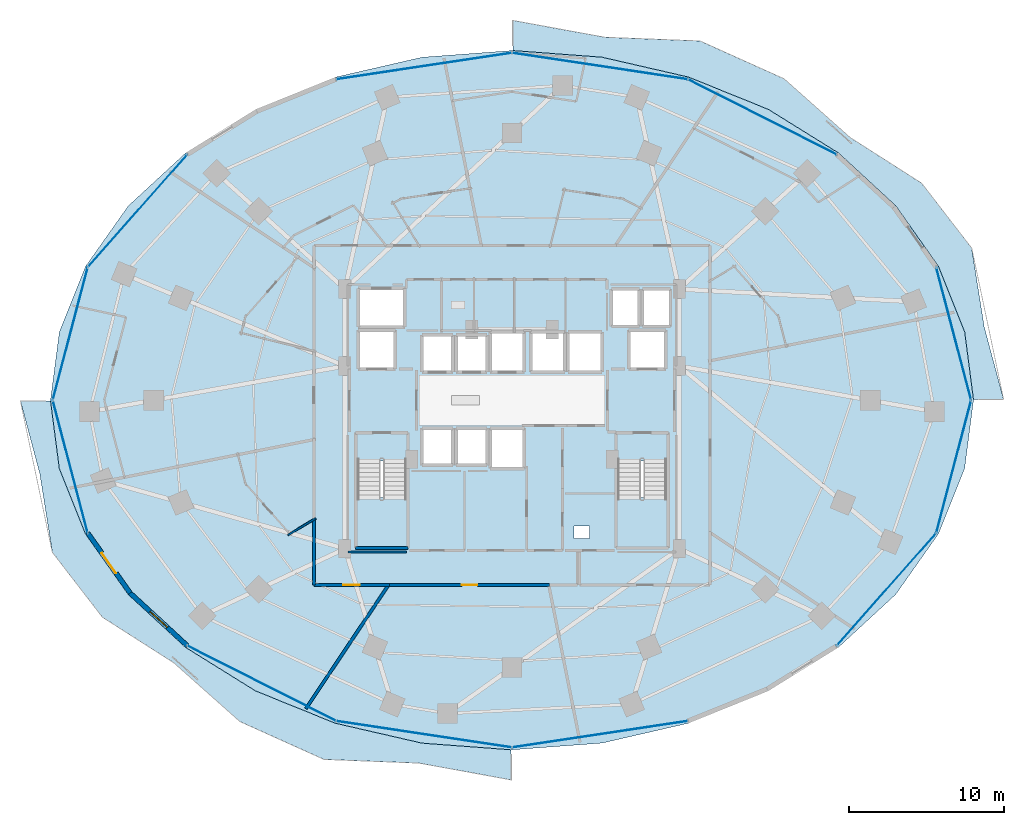
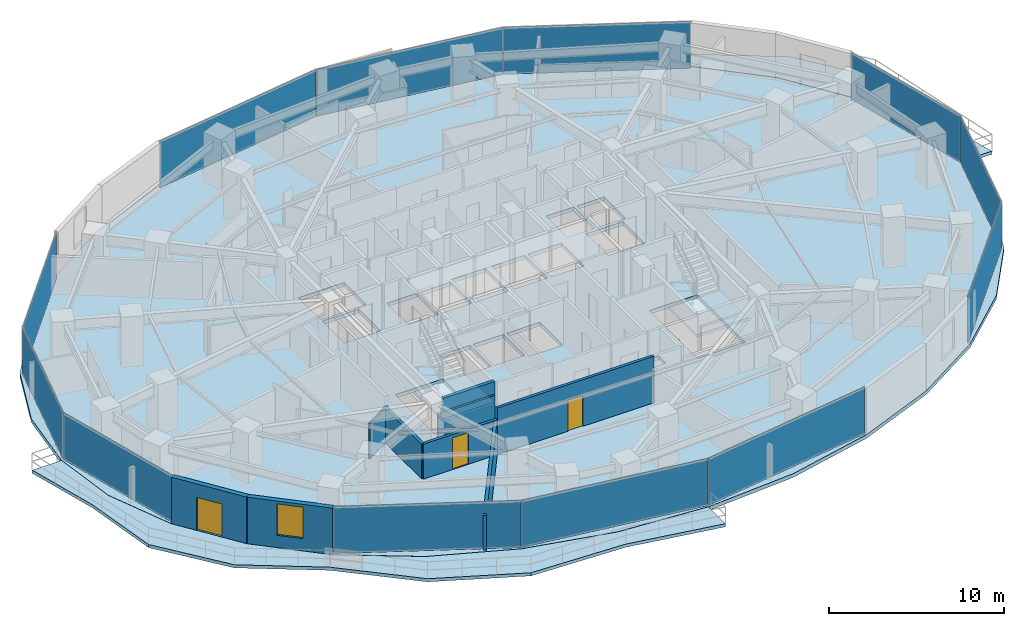
# One storey, part 22 of 30: 12 plates, 9 walls, 5 slabs, 3 doors, 1 window, 4 openings, 6 elements without a shape of their own.
"""IFC4 building model written with IfcOpenShell, lengths in metres."""

from ifc_helpers import new_model, si_unit, direction, frame, frame_2d, origin, origin_2d, place, context, subcontext, project, spatial, polyline, rectangle, outline, extrude, material, layer, layer_set, type_object, element, fill, aggregate, save


model = new_model("IFC4")

# Units and contexts
model_context = context("Model", 3, precision=1e-05, world=origin(), true_north=direction((0.0, 1.0)))
body_context = subcontext(model_context, "Body", "Model", "MODEL_VIEW")
ifc_project = project(units=[si_unit("LENGTHUNIT", "METRE"), si_unit("AREAUNIT", "SQUARE_METRE"), si_unit("VOLUMEUNIT", "CUBIC_METRE"), si_unit("PLANEANGLEUNIT", "RADIAN"), si_unit("MASSUNIT", "GRAM", prefix="KILO")], contexts=[model_context])

# Site, building, storey
site_placement = place(None, origin())
site = spatial("IfcSite", under=ifc_project, at=site_placement, CompositionType="ELEMENT")
building_placement = place(site_placement, origin())
building = spatial("IfcBuilding", under=site, at=building_placement, Name="Vorneva Point Tower", CompositionType="ELEMENT")
storey_placement = place(building_placement, frame((0.0, 0.0, 41.5)))
storey = spatial("IfcBuildingStorey", under=building, at=storey_placement, Name="L10", CompositionType="ELEMENT", Elevation=41.5)

# Curtain wall, plates
ifc_material_1 = material(Name="Pale anodised aluminium", Category="aluminium")
curtain_wall_type = type_object("IfcCurtainWallType", Name="CW-HTL-SYS", PredefinedType="NOTDEFINED", material=ifc_material_1)
curtain_wall_1_placement = place(storey_placement, origin())
curtain_wall_1 = element("IfcCurtainWall", 1, at=curtain_wall_1_placement, inside=storey, type_object=curtain_wall_type, Name="L10 Unitised Curtain Wall CW-L10-R01", PredefinedType="NOTDEFINED")
ifc_material_2 = material(Name="Double low-e laminated glass IGU", Category="glass")
ifc_layer_1 = layer(ifc_material_2, 0.035888671875)
ifc_layer_set_1 = layer_set([ifc_layer_1], Name="Double low-e laminated glass IGU")
plate_type = type_object("IfcPlateType", Name="CW-PNL-VIS", PredefinedType="CURTAIN_PANEL", material=ifc_layer_set_1)
plate_1_placement = place(storey_placement, frame((62.097900390625, 13.821533203125, -0.02001953125), z_axis=(0.0, 0.0, 1.0), x_axis=(0.662070857019, 0.749441245386, 0.0)))
plate_1 = element("IfcPlate", 2, at=plate_1_placement, type_object=plate_type, Name="CW-L10-R01 Glazed Panel 01", PredefinedType="CURTAIN_PANEL", context=body_context, shape_type="SweptSolid", body=[
    extrude(rectangle(XDim=9.625, YDim=0.035888671875, at=origin_2d()), origin(), (0.0, 0.0, 1.0), 3.280029296875),
])
plate_2_placement = place(storey_placement, frame((66.42529296875, 21.723388671875, -0.02001953125), z_axis=(0.0, 0.0, 1.0), x_axis=(0.254348767449, 0.967112560407, 0.0)))
plate_2 = element("IfcPlate", 3, at=plate_2_placement, type_object=plate_type, Name="CW-L10-R01 Glazed Panel 02", PredefinedType="CURTAIN_PANEL", context=body_context, shape_type="SweptSolid", body=[
    extrude(rectangle(XDim=8.793701171875, YDim=0.035888671875, at=origin_2d()), origin(), (0.0, 0.0, 1.0), 3.280029296875),
])
plate_3_placement = place(storey_placement, frame((66.42529296875, 30.276611328125, -0.02001953125), z_axis=(0.0, 0.0, 1.0), x_axis=(-0.254348767449, 0.967112560407, 0.0)))
plate_3 = element("IfcPlate", 4, at=plate_3_placement, type_object=plate_type, Name="CW-L10-R01 Glazed Panel 03", PredefinedType="CURTAIN_PANEL", context=body_context, shape_type="SweptSolid", body=[
    extrude(rectangle(XDim=8.793701171875, YDim=0.035888671875, at=origin_2d()), origin(), (0.0, 0.0, 1.0), 3.280029296875),
])
aggregate(curtain_wall_1, [plate_1, plate_2, plate_3])

curtain_wall_2_placement = place(storey_placement, origin())
curtain_wall_2 = element("IfcCurtainWall", 5, at=curtain_wall_2_placement, inside=storey, type_object=curtain_wall_type, Name="L10 Unitised Curtain Wall CW-L10-R02", PredefinedType="NOTDEFINED")
plate_4_placement = place(storey_placement, frame((54.101806640625, 44.226318359375, -0.02001953125), z_axis=(0.0, 0.0, 1.0), x_axis=(-0.892499239729, 0.451048896554, 0.0)))
plate_4 = element("IfcPlate", 6, at=plate_4_placement, type_object=plate_type, Name="CW-L10-R02 Glazed Panel 01", PredefinedType="CURTAIN_PANEL", context=body_context, shape_type="SweptSolid", body=[
    extrude(rectangle(XDim=10.69140625, YDim=0.035888671875, at=origin_2d()), origin(), (0.0, 0.0, 1.0), 3.280029296875),
])
plate_5_placement = place(storey_placement, frame((43.654296875, 47.499267578125, -0.02001953125), z_axis=(0.0, 0.0, 1.0), x_axis=(-0.988870924381, 0.148775989034, 0.0)))
plate_5 = element("IfcPlate", 7, at=plate_5_placement, type_object=plate_type, Name="CW-L10-R02 Glazed Panel 02", PredefinedType="CURTAIN_PANEL", context=body_context, shape_type="SweptSolid", body=[
    extrude(rectangle(XDim=11.385498046875, YDim=0.035888671875, at=origin_2d()), origin(), (0.0, 0.0, 1.0), 3.280029296875),
])
plate_6_placement = place(storey_placement, frame((32.345703125, 47.499267578125, -0.02001953125), z_axis=(0.0, 0.0, 1.0), x_axis=(-0.988870924381, -0.148775989034, 0.0)))
plate_6 = element("IfcPlate", 8, at=plate_6_placement, type_object=plate_type, Name="CW-L10-R02 Glazed Panel 03", PredefinedType="CURTAIN_PANEL", context=body_context, shape_type="SweptSolid", body=[
    extrude(rectangle(XDim=11.385498046875, YDim=0.035888671875, at=origin_2d()), origin(), (0.0, 0.0, 1.0), 3.280029296875),
])
aggregate(curtain_wall_2, [plate_4, plate_5, plate_6])

curtain_wall_3_placement = place(storey_placement, origin())
curtain_wall_3 = element("IfcCurtainWall", 9, at=curtain_wall_3_placement, inside=storey, type_object=curtain_wall_type, Name="L10 Unitised Curtain Wall CW-L10-R03", PredefinedType="NOTDEFINED")
plate_7_placement = place(storey_placement, frame((13.902099609375, 38.178466796875, -0.02001953125), z_axis=(0.0, 0.0, 1.0), x_axis=(-0.662070857019, -0.749441245386, 0.0)))
plate_7 = element("IfcPlate", 10, at=plate_7_placement, type_object=plate_type, Name="CW-L10-R03 Glazed Panel 01", PredefinedType="CURTAIN_PANEL", context=body_context, shape_type="SweptSolid", body=[
    extrude(rectangle(XDim=9.625, YDim=0.035888671875, at=origin_2d()), origin(), (0.0, 0.0, 1.0), 3.280029296875),
])
plate_8_placement = place(storey_placement, frame((9.57470703125, 30.276611328125, -0.02001953125), z_axis=(0.0, 0.0, 1.0), x_axis=(-0.254348767449, -0.967112560407, 0.0)))
plate_8 = element("IfcPlate", 11, at=plate_8_placement, type_object=plate_type, Name="CW-L10-R03 Glazed Panel 02", PredefinedType="CURTAIN_PANEL", context=body_context, shape_type="SweptSolid", body=[
    extrude(rectangle(XDim=8.793701171875, YDim=0.035888671875, at=origin_2d()), origin(), (0.0, 0.0, 1.0), 3.280029296875),
])
plate_9_placement = place(storey_placement, frame((9.57470703125, 21.723388671875, -0.02001953125), z_axis=(0.0, 0.0, 1.0), x_axis=(0.254348767449, -0.967112560407, 0.0)))
plate_9 = element("IfcPlate", 12, at=plate_9_placement, type_object=plate_type, Name="CW-L10-R03 Glazed Panel 03", PredefinedType="CURTAIN_PANEL", context=body_context, shape_type="SweptSolid", body=[
    extrude(rectangle(XDim=8.793701171875, YDim=0.035888671875, at=origin_2d()), origin(), (0.0, 0.0, 1.0), 3.280029296875),
])
aggregate(curtain_wall_3, [plate_7, plate_8, plate_9])

curtain_wall_4_placement = place(storey_placement, origin())
curtain_wall_4 = element("IfcCurtainWall", 13, at=curtain_wall_4_placement, inside=storey, type_object=curtain_wall_type, Name="L10 Unitised Curtain Wall CW-L10-R04", PredefinedType="NOTDEFINED")
plate_10_placement = place(storey_placement, frame((21.8984375, 7.773681640625, -0.02001953125), z_axis=(0.0, 0.0, 1.0), x_axis=(0.892499239729, -0.451048896554, 0.0)))
plate_10 = element("IfcPlate", 14, at=plate_10_placement, type_object=plate_type, Name="CW-L10-R04 Glazed Panel 01", PredefinedType="CURTAIN_PANEL", context=body_context, shape_type="SweptSolid", body=[
    extrude(rectangle(XDim=10.69140625, YDim=0.035888671875, at=origin_2d()), origin(), (0.0, 0.0, 1.0), 3.280029296875),
])
plate_11_placement = place(storey_placement, frame((32.345703125, 4.500732421875, -0.02001953125), z_axis=(0.0, 0.0, 1.0), x_axis=(0.988870924381, -0.148775989034, 0.0)))
plate_11 = element("IfcPlate", 15, at=plate_11_placement, type_object=plate_type, Name="CW-L10-R04 Glazed Panel 02", PredefinedType="CURTAIN_PANEL", context=body_context, shape_type="SweptSolid", body=[
    extrude(rectangle(XDim=11.385498046875, YDim=0.035888671875, at=origin_2d()), origin(), (0.0, 0.0, 1.0), 3.280029296875),
])
plate_12_placement = place(storey_placement, frame((43.654296875, 4.500732421875, -0.02001953125), z_axis=(0.0, 0.0, 1.0), x_axis=(0.988870924381, 0.148775989034, 0.0)))
plate_12 = element("IfcPlate", 16, at=plate_12_placement, type_object=plate_type, Name="CW-L10-R04 Glazed Panel 03", PredefinedType="CURTAIN_PANEL", context=body_context, shape_type="SweptSolid", body=[
    extrude(rectangle(XDim=11.385498046875, YDim=0.035888671875, at=origin_2d()), origin(), (0.0, 0.0, 1.0), 3.280029296875),
])
aggregate(curtain_wall_4, [plate_10, plate_11, plate_12])

# Slabs
ifc_material_3 = material(Name="Concrete B50 (C40/50)", Category="concrete")
ifc_layer_2 = layer(ifc_material_3, 0.219970703125)
ifc_layer_set_2 = layer_set([ifc_layer_2], Name="Concrete B50 (C40/50)")
slab_type_1 = type_object("IfcSlabType", Name="SLB-BAL-220", PredefinedType="FLOOR", material=ifc_layer_set_2)
slab_1_placement = place(storey_placement, frame((0.0, 0.0, -0.219970703125)))
element("IfcSlab", 17, at=slab_1_placement, inside=storey, type_object=slab_type_1, Name="L10 Cantilevered Wave Balcony NE", PredefinedType="FLOOR", context=body_context, shape_type="SweptSolid", body=[
    extrude(outline(polyline([(38.050048828125, 50.44091796875), (38.050048828125, 48.500244140625), (43.79443359375, 48.07177734375), (43.794921875, 48.07177734375), (43.795166015625, 48.071533203125), (49.36669921875, 46.791259765625), (49.366943359375, 46.791015625), (49.3671875, 46.791015625), (54.501953125, 44.7119140625), (54.502197265625, 44.711669921875), (54.50244140625, 44.71142578125), (59.003173828125, 41.913330078125), (59.00341796875, 41.9130859375), (59.00390625, 41.912841796875), (62.697265625, 38.503173828125), (62.697509765625, 38.5029296875), (62.697998046875, 38.502685546875), (65.4423828125, 34.61279296875), (65.442626953125, 34.6123046875), (65.44287109375, 34.61181640625), (67.133056640625, 30.39111328125), (67.133056640625, 30.390625), (67.13330078125, 30.390380859375), (67.13330078125, 30.389892578125), (67.697509765625, 26.050048828125), (69.63671875, 26.050048828125), (68.389892578125, 30.720458984375), (67.58447265625, 35.783203125), (64.35791015625, 39.96728515625), (59.755859375, 42.90625), (55.502197265625, 46.68701171875), (50.09765625, 49.1201171875), (43.98828125, 49.3564453125), (38.050048828125, 50.44091796875)])), origin(), (0.0, 0.0, 1.0), 0.219970703125),
])
slab_2_placement = place(storey_placement, frame((0.0, 0.0, -0.219970703125)))
element("IfcSlab", 18, at=slab_2_placement, inside=storey, type_object=slab_type_1, Name="L10 Cantilevered Wave Balcony SW", PredefinedType="FLOOR", context=body_context, shape_type="SweptSolid", body=[
    extrude(outline(polyline([(37.949951171875, 1.55908203125), (37.949951171875, 3.499755859375), (32.20556640625, 3.92822265625), (32.205078125, 3.92822265625), (32.204833984375, 3.928466796875), (26.63330078125, 5.208740234375), (26.633056640625, 5.208984375), (26.6328125, 5.208984375), (21.498046875, 7.2880859375), (21.497802734375, 7.288330078125), (21.49755859375, 7.28857421875), (16.996826171875, 10.086669921875), (16.99658203125, 10.0869140625), (16.99609375, 10.087158203125), (13.302734375, 13.496826171875), (13.302490234375, 13.4970703125), (13.302001953125, 13.497314453125), (10.5576171875, 17.38720703125), (10.557373046875, 17.3876953125), (10.55712890625, 17.38818359375), (8.866943359375, 21.60888671875), (8.866943359375, 21.609375), (8.86669921875, 21.609619140625), (8.86669921875, 21.610107421875), (8.302490234375, 25.949951171875), (6.36328125, 25.949951171875), (7.610107421875, 21.279541015625), (8.41552734375, 16.216796875), (11.64208984375, 12.03271484375), (16.244140625, 9.09375), (20.497802734375, 5.31298828125), (25.90234375, 2.8798828125), (32.01171875, 2.6435546875), (37.949951171875, 1.55908203125)])), origin(), (0.0, 0.0, 1.0), 0.219970703125),
])

# Stair, slab
stair_type = type_object("IfcStairType", Name="ST-DOG-1500", PredefinedType="HALF_TURN_STAIR", material=ifc_material_3)
stair_1_placement = place(storey_placement, origin())
stair_1 = element("IfcStair", 19, at=stair_1_placement, inside=storey, type_object=stair_type, Name="L10 ST1", PredefinedType="HALF_TURN_STAIR")
ifc_layer_3 = layer(ifc_material_3, 0.199951171875)
ifc_layer_set_3 = layer_set([ifc_layer_3], Name="Concrete B50 (C40/50)")
slab_type_2 = type_object("IfcSlabType", Name="SLB-LND-200", PredefinedType="LANDING", material=ifc_layer_set_3)
slab_3_placement = place(storey_placement, frame((0.0, 0.0, 1.550048828125)))
slab_3 = element("IfcSlab", 20, at=slab_3_placement, type_object=slab_type_2, Name="ST1 landing 1", PredefinedType="LANDING", context=body_context, shape_type="SweptSolid", body=[
    extrude(outline(polyline([(27.929931640625, 16.47998046875), (31.320068359375, 16.47998046875), (31.320068359375, 19.72998046875), (27.929931640625, 19.72998046875), (27.929931640625, 16.47998046875)])), origin(), (0.0, 0.0, 1.0), 0.199951171875),
])
aggregate(stair_1, [slab_3])

stair_2_placement = place(storey_placement, origin())
stair_2 = element("IfcStair", 21, at=stair_2_placement, inside=storey, type_object=stair_type, Name="L10 ST2", PredefinedType="HALF_TURN_STAIR")
slab_4_placement = place(storey_placement, frame((0.0, 0.0, 1.550048828125)))
slab_4 = element("IfcSlab", 22, at=slab_4_placement, type_object=slab_type_2, Name="ST2 landing 1", PredefinedType="LANDING", context=body_context, shape_type="SweptSolid", body=[
    extrude(outline(polyline([(44.679931640625, 16.47998046875), (48.070068359375, 16.47998046875), (48.070068359375, 19.72998046875), (44.679931640625, 19.72998046875), (44.679931640625, 16.47998046875)])), origin(), (0.0, 0.0, 1.0), 0.199951171875),
])
aggregate(stair_2, [slab_4])

# Slab
ifc_layer_4 = layer(ifc_material_3, 0.260009765625)
ifc_layer_set_4 = layer_set([ifc_layer_4], Name="Concrete B50 (C40/50)")
slab_type_3 = type_object("IfcSlabType", Name="SLB-TYP-260", PredefinedType="FLOOR", material=ifc_layer_set_4)
slab_5_placement = place(storey_placement, frame((0.0, 0.0, -0.260009765625)))
element("IfcSlab", 23, at=slab_5_placement, inside=storey, type_object=slab_type_3, Name="L10 Structural Floor Plate", PredefinedType="FLOOR", context=body_context, shape_type="SweptSolid", body=[
    extrude(outline(polyline([(67.699951171875, 26.0), (67.12939453125, 30.389404296875), (65.439208984375, 34.6103515625), (62.694580078125, 38.500244140625), (59.001220703125, 41.909912109375), (54.50048828125, 44.7080078125), (49.36572265625, 46.787353515625), (43.794189453125, 48.067626953125), (38.0, 48.5), (32.205810546875, 48.067626953125), (26.63427734375, 46.787353515625), (21.49951171875, 44.7080078125), (16.998779296875, 41.909912109375), (13.305419921875, 38.500244140625), (10.560791015625, 34.6103515625), (8.87060546875, 30.389404296875), (8.300048828125, 26.0), (8.87060546875, 21.610595703125), (10.560791015625, 17.3896484375), (13.305419921875, 13.499755859375), (16.998779296875, 10.090087890625), (21.49951171875, 7.2919921875), (26.63427734375, 5.212646484375), (32.205810546875, 3.932373046875), (38.0, 3.5), (43.794189453125, 3.932373046875), (49.36572265625, 5.212646484375), (54.50048828125, 7.2919921875), (59.001220703125, 10.090087890625), (62.694580078125, 13.499755859375), (65.439208984375, 17.3896484375), (67.12939453125, 21.610595703125), (67.699951171875, 26.0)]), holes=[polyline([(32.199951171875, 27.800048828125), (34.199951171875, 27.800048828125), (34.199951171875, 30.199951171875), (32.199951171875, 30.199951171875), (32.199951171875, 27.800048828125)]), polyline([(34.39990234375, 27.800048828125), (36.39990234375, 27.800048828125), (36.39990234375, 30.199951171875), (34.39990234375, 30.199951171875), (34.39990234375, 27.800048828125)]), polyline([(36.60009765625, 27.800048828125), (38.800048828125, 27.800048828125), (38.800048828125, 30.39990234375), (36.60009765625, 30.39990234375), (36.60009765625, 27.800048828125)]), polyline([(32.199951171875, 21.800048828125), (34.199951171875, 21.800048828125), (34.199951171875, 24.199951171875), (32.199951171875, 24.199951171875), (32.199951171875, 21.800048828125)]), polyline([(34.39990234375, 21.800048828125), (36.39990234375, 21.800048828125), (36.39990234375, 24.199951171875), (34.39990234375, 24.199951171875), (34.39990234375, 21.800048828125)]), polyline([(36.60009765625, 21.60009765625), (38.800048828125, 21.60009765625), (38.800048828125, 24.199951171875), (36.60009765625, 24.199951171875), (36.60009765625, 21.60009765625)]), polyline([(39.199951171875, 27.800048828125), (41.39990234375, 27.800048828125), (41.39990234375, 30.39990234375), (39.199951171875, 30.39990234375), (39.199951171875, 27.800048828125)]), polyline([(41.60009765625, 27.800048828125), (43.800048828125, 27.800048828125), (43.800048828125, 30.39990234375), (41.60009765625, 30.39990234375), (41.60009765625, 27.800048828125)]), polyline([(44.39990234375, 30.739990234375), (46.199951171875, 30.739990234375), (46.199951171875, 33.159912109375), (44.39990234375, 33.159912109375), (44.39990234375, 30.739990234375)]), polyline([(46.39990234375, 30.739990234375), (48.199951171875, 30.739990234375), (48.199951171875, 33.159912109375), (46.39990234375, 33.159912109375), (46.39990234375, 30.739990234375)]), polyline([(28.10009765625, 28.0), (30.5, 28.0), (30.5, 30.5), (28.10009765625, 30.5), (28.10009765625, 28.0)]), polyline([(45.5, 28.0), (47.89990234375, 28.0), (47.89990234375, 30.5), (45.5, 30.5), (45.5, 28.0)]), polyline([(28.10009765625, 30.699951171875), (31.10009765625, 30.699951171875), (31.10009765625, 33.199951171875), (28.10009765625, 33.199951171875), (28.10009765625, 30.699951171875)]), polyline([(28.050048828125, 16.60009765625), (31.199951171875, 16.60009765625), (31.199951171875, 22.080078125), (28.050048828125, 22.080078125), (28.050048828125, 16.60009765625)]), polyline([(44.800048828125, 16.60009765625), (47.949951171875, 16.60009765625), (47.949951171875, 22.080078125), (44.800048828125, 22.080078125), (44.800048828125, 16.60009765625)]), polyline([(42.0, 17.10009765625), (43.0, 17.10009765625), (43.0, 17.89990234375), (42.0, 17.89990234375), (42.0, 17.10009765625)])]), origin(), (0.0, 0.0, 1.0), 0.260009765625),
])

# Wall, opening, door
ifc_material_4 = material(Name="Precast concrete B50 (C40/50)", Category="concrete")
ifc_layer_5 = layer(ifc_material_4, 0.300048828125)
ifc_layer_set_5 = layer_set([ifc_layer_5], Name="Precast concrete B50 (C40/50)")
wall_type_1 = type_object("IfcWallType", Name="WL-EXT-300", PredefinedType="STANDARD", material=ifc_layer_set_5)
wall_1_placement = place(storey_placement, frame((10.699462890625, 17.447021484375, 0.0), z_axis=(0.0, 0.0, 1.0), x_axis=(0.577130815624, -0.816651713803, 0.0)))
wall_1 = element("IfcWall", 24, at=wall_1_placement, inside=storey, type_object=wall_type_1, Name="L10 Pale-Metal Facade Spandrel Wall 10.1", PredefinedType="STANDARD", context=body_context, shape_type="SweptSolid", body=[
    extrude(rectangle(XDim=4.7314453125, YDim=0.300048828125, at=frame_2d((2.36572265625, 0.0))), origin(), (0.0, 0.0, 1.0), 3.239990234375),
])
opening_1_placement = place(wall_1_placement, frame((1.56591796875, 0.0, 0.0)))
opening_1 = element("IfcOpeningElement", 25, at=opening_1_placement, cuts=wall_1, Name="Opening BD-01", PredefinedType="OPENING", context=body_context, shape_type="SweptSolid", body=[
    extrude(rectangle(XDim=1.60009765625, YDim=2.300048828125, at=frame_2d((0.800048828125, 1.14990234375))), frame((0.0, 0.1650390625, 0.0), z_axis=(0.0, -1.0, 0.0), x_axis=(1.0, 0.0, 0.0)), (0.0, 0.0, 1.0), 0.329833984375),
])
door_type_1 = type_object("IfcDoorType", Name="DR-BAL-1600", OperationType="SLIDING_TO_LEFT", PredefinedType="DOOR", material=ifc_material_1)
door_1_placement = place(opening_1_placement, origin())
door_1 = element("IfcDoor", 26, at=door_1_placement, inside=storey, type_object=door_type_1, Name="L10 Balcony Terrace Access Door 10", OperationType="SLIDING_TO_LEFT", OverallHeight=2.300048828125, OverallWidth=1.60009765625, PredefinedType="DOOR", context=body_context, shape_type="SweptSolid", body=[
    extrude(rectangle(XDim=1.60009765625, YDim=2.300048828125, at=frame_2d((0.800048828125, 1.14990234375))), frame((0.0, 0.02490234375, 0.0), z_axis=(0.0, -1.0, 0.0), x_axis=(1.0, 0.0, 0.0)), (0.0, 0.0, 1.0), 0.050048828125),
])
fill(opening_1, door_1)

# Wall, opening, window
wall_2_placement = place(storey_placement, frame((13.43017578125, 13.5830078125, 0.0), z_axis=(0.0, 0.0, 1.0), x_axis=(0.735342629635, -0.677695519419, 0.0)))
wall_2 = element("IfcWall", 27, at=wall_2_placement, inside=storey, type_object=wall_type_1, Name="L10 Pale-Metal Facade Spandrel Wall 10.2", PredefinedType="STANDARD", context=body_context, shape_type="SweptSolid", body=[
    extrude(rectangle(XDim=4.997314453125, YDim=0.300048828125, at=frame_2d((2.49853515625, 0.0))), origin(), (0.0, 0.0, 1.0), 3.239990234375),
])
opening_2_placement = place(wall_2_placement, frame((1.748779296875, 0.0, 0.85009765625)))
opening_2 = element("IfcOpeningElement", 28, at=opening_2_placement, cuts=wall_2, Name="Opening W-02", PredefinedType="OPENING", context=body_context, shape_type="SweptSolid", body=[
    extrude(rectangle(XDim=1.5, YDim=2.18994140625, at=frame_2d((0.75, 1.094970703125))), frame((0.0, 0.1650390625, 0.0), z_axis=(0.0, -1.0, 0.0), x_axis=(1.0, 0.0, 0.0)), (0.0, 0.0, 1.0), 0.329833984375),
])
window_type = type_object("IfcWindowType", Name="WN-HTL-1500", PartitioningType="SINGLE_PANEL", PredefinedType="WINDOW", material=ifc_material_2)
window_placement = place(opening_2_placement, origin())
window = element("IfcWindow", 29, at=window_placement, inside=storey, type_object=window_type, Name="L10 Facade Window 10", OverallHeight=2.18994140625, OverallWidth=1.5, PartitioningType="SINGLE_PANEL", PredefinedType="WINDOW", context=body_context, shape_type="SweptSolid", body=[
    extrude(rectangle(XDim=1.5, YDim=2.18994140625, at=frame_2d((0.75, 1.094970703125))), frame((0.0, 0.030029296875, 0.0), z_axis=(0.0, -1.0, 0.0), x_axis=(1.0, 0.0, 0.0)), (0.0, 0.0, 1.0), 0.06005859375),
])
fill(opening_2, window)

# Walls
ifc_material_5 = material(Name="Fire-rated acoustic gypsum stud partition", Category="gypsum")
ifc_layer_6 = layer(ifc_material_5, 0.110107421875)
ifc_layer_set_6 = layer_set([ifc_layer_6], Name="Fire-rated acoustic gypsum stud partition")
wall_type_2 = type_object("IfcWallType", Name="WL-PART-110", PredefinedType="PARTITIONING", material=ifc_layer_set_6)
wall_3_placement = place(storey_placement, frame((25.369873046875, 18.396240234375, 0.0), z_axis=(0.0, 0.0, 1.0), x_axis=(-0.856631627837, -0.515928535932, 0.0)))
element("IfcWall", 30, at=wall_3_placement, inside=storey, type_object=wall_type_2, Name="L10 Interior Partition 086", PredefinedType="PARTITIONING", context=body_context, shape_type="SweptSolid", body=[
    extrude(rectangle(XDim=2.078857421875, YDim=0.110107421875, at=frame_2d((1.03955078125, 0.0))), origin(), (0.0, 0.0, 1.0), 2.431884765625),
])
ifc_layer_7 = layer(ifc_material_5, 0.139892578125)
ifc_layer_set_7 = layer_set([ifc_layer_7], Name="Fire-rated acoustic gypsum stud partition")
wall_type_3 = type_object("IfcWallType", Name="WL-PART-140", PredefinedType="PARTITIONING", material=ifc_layer_set_7)
wall_4_placement = place(storey_placement, frame((31.195068359375, 16.239990234375, 0.0), z_axis=(0.0, 0.0, 1.0), x_axis=(-1.0, 0.0, 0.0)))
element("IfcWall", 31, at=wall_4_placement, inside=storey, type_object=wall_type_3, Name="L10 Interior Closure Partition 105", PredefinedType="PARTITIONING", context=body_context, shape_type="SweptSolid", body=[
    extrude(rectangle(XDim=3.7451171875, YDim=0.139892578125, at=frame_2d((1.87255859375, 0.0))), origin(), (0.0, 0.0, 1.0), 2.431884765625),
])
ifc_material_6 = material(Name="Autoclaved aerated concrete blockwork", Category="masonry")
ifc_layer_8 = layer(ifc_material_6, 0.179931640625)
ifc_layer_set_8 = layer_set([ifc_layer_8], Name="Autoclaved aerated concrete blockwork")
wall_type_4 = type_object("IfcWallType", Name="WL-PART-180", PredefinedType="PARTITIONING", material=ifc_layer_set_8)
wall_5_placement = place(storey_placement, frame((25.25, 18.384033203125, 0.0), z_axis=(0.0, 0.0, 1.0), x_axis=(0.0, -1.0, 0.0)))
element("IfcWall", 32, at=wall_5_placement, inside=storey, type_object=wall_type_4, Name="L10 Interior Partition 039", PredefinedType="PARTITIONING", context=body_context, shape_type="SweptSolid", body=[
    extrude(rectangle(XDim=4.283935546875, YDim=0.179931640625, at=frame_2d((2.14208984375, 0.0))), origin(), (0.0, 0.0, 1.0), 2.431884765625),
])

# Wall, opening, door
wall_6_placement = place(storey_placement, frame((25.25, 14.10009765625, 0.0), z_axis=(0.0, 0.0, 1.0), x_axis=(1.0, 0.0, 0.0)))
wall_6 = element("IfcWall", 33, at=wall_6_placement, inside=storey, type_object=wall_type_4, Name="L10 Interior Partition 040", PredefinedType="PARTITIONING", context=body_context, shape_type="SweptSolid", body=[
    extrude(rectangle(XDim=4.85888671875, YDim=0.179931640625, at=frame_2d((2.429443359375, 0.0))), origin(), (0.0, 0.0, 1.0), 2.431884765625),
])
opening_3_placement = place(wall_6_placement, frame((1.904541015625, 0.0, 0.0)))
opening_3 = element("IfcOpeningElement", 34, at=opening_3_placement, cuts=wall_6, Name="Opening UD-02", PredefinedType="OPENING", context=body_context, shape_type="SweptSolid", body=[
    extrude(rectangle(XDim=1.050048828125, YDim=2.199951171875, at=frame_2d((0.52490234375, 1.10009765625))), frame((0.0, 0.10498046875, 0.0), z_axis=(0.0, -1.0, 0.0), x_axis=(1.0, 0.0, 0.0)), (0.0, 0.0, 1.0), 0.209716796875),
])
ifc_material_7 = material(Name="Engineered oak fire-rated door leaf", Category="wood")
door_type_2 = type_object("IfcDoorType", Name="DR-SUITE-1050", OperationType="NOTDEFINED", PredefinedType="DOOR", material=ifc_material_7)
door_2_placement = place(opening_3_placement, origin())
door_2 = element("IfcDoor", 35, at=door_2_placement, inside=storey, type_object=door_type_2, Name="L10 Door L10 Circulation Corridor / Corner Suite L10-05", OperationType="SINGLE_SWING_LEFT", OverallHeight=2.199951171875, OverallWidth=1.050048828125, PredefinedType="DOOR", context=body_context, shape_type="SweptSolid", body=[
    extrude(rectangle(XDim=1.050048828125, YDim=2.199951171875, at=frame_2d((0.52490234375, 1.10009765625))), frame((0.0, 0.02490234375, 0.0), z_axis=(0.0, -1.0, 0.0), x_axis=(1.0, 0.0, 0.0)), (0.0, 0.0, 1.0), 0.050048828125),
])
fill(opening_3, door_2)

wall_7_placement = place(storey_placement, frame((30.10888671875, 14.10009765625, 0.0), z_axis=(0.0, 0.0, 1.0), x_axis=(1.0, 0.0, 0.0)))
wall_7 = element("IfcWall", 36, at=wall_7_placement, inside=storey, type_object=wall_type_4, Name="L10 Interior Partition 042", PredefinedType="PARTITIONING", context=body_context, shape_type="SweptSolid", body=[
    extrude(rectangle(XDim=10.319091796875, YDim=0.179931640625, at=frame_2d((5.15966796875, 0.0))), origin(), (0.0, 0.0, 1.0), 3.239990234375),
])
opening_4_placement = place(wall_7_placement, frame((4.659423828125, 0.0, 0.0)))
opening_4 = element("IfcOpeningElement", 37, at=opening_4_placement, cuts=wall_7, Name="Opening UD-01", PredefinedType="OPENING", context=body_context, shape_type="SweptSolid", body=[
    extrude(rectangle(XDim=1.0, YDim=2.14990234375, at=frame_2d((0.5, 1.074951171875))), frame((0.0, 0.10498046875, 0.0), z_axis=(0.0, -1.0, 0.0), x_axis=(1.0, 0.0, 0.0)), (0.0, 0.0, 1.0), 0.209716796875),
])
door_type_3 = type_object("IfcDoorType", Name="DR-UNIT-1000", OperationType="NOTDEFINED", PredefinedType="DOOR", material=ifc_material_7)
door_3_placement = place(opening_4_placement, origin())
door_3 = element("IfcDoor", 38, at=door_3_placement, inside=storey, type_object=door_type_3, Name="L10 Door L10 Circulation Corridor / Executive Meeting Room L10-06", OperationType="SINGLE_SWING_RIGHT", OverallHeight=2.14990234375, OverallWidth=1.0, PredefinedType="DOOR", context=body_context, shape_type="SweptSolid", body=[
    extrude(rectangle(XDim=1.0, YDim=2.14990234375, at=frame_2d((0.5, 1.074951171875))), frame((0.0, 0.02490234375, 0.0), z_axis=(0.0, -1.0, 0.0), x_axis=(1.0, 0.0, 0.0)), (0.0, 0.0, 1.0), 0.050048828125),
])
fill(opening_4, door_3)

# Walls
ifc_layer_9 = layer(ifc_material_6, 0.199951171875)
ifc_layer_set_9 = layer_set([ifc_layer_9], Name="Autoclaved aerated concrete blockwork")
wall_type_5 = type_object("IfcWallType", Name="WL-PART-200", PredefinedType="PARTITIONING", material=ifc_layer_set_9)
wall_8_placement = place(storey_placement, frame((24.73291015625, 6.14404296875, 0.0), z_axis=(0.0, 0.0, 1.0), x_axis=(0.555577192504, 0.831464962082, 0.0)))
element("IfcWall", 39, at=wall_8_placement, inside=storey, type_object=wall_type_5, Name="L10 Interior Partition 089", PredefinedType="PARTITIONING", context=body_context, shape_type="SweptSolid", body=[
    extrude(rectangle(XDim=9.568603515625, YDim=0.199951171875, at=frame_2d((4.7841796875, 0.0))), origin(), (0.0, 0.0, 1.0), 2.431884765625),
])
ifc_layer_10 = layer(ifc_material_3, 0.219970703125)
ifc_layer_set_10 = layer_set([ifc_layer_10], Name="Concrete B50 (C40/50)")
wall_type_6 = type_object("IfcWallType", Name="WL-SHFT-220", PredefinedType="SOLIDWALL", material=ifc_layer_set_10)
wall_9_placement = place(storey_placement, frame((31.31005859375, 16.489990234375, 0.0), z_axis=(0.0, 0.0, 1.0), x_axis=(-1.0, 0.0, 0.0)))
element("IfcWall", 40, at=wall_9_placement, inside=storey, type_object=wall_type_6, Name="L10 Exit Stair ST1 Shaft Wall far", PredefinedType="SOLIDWALL", context=body_context, shape_type="SweptSolid", body=[
    extrude(rectangle(XDim=3.3701171875, YDim=0.219970703125, at=frame_2d((1.68505859375, 0.0))), origin(), (0.0, 0.0, 1.0), 3.239990234375),
])

save(model, "model.ifc")
